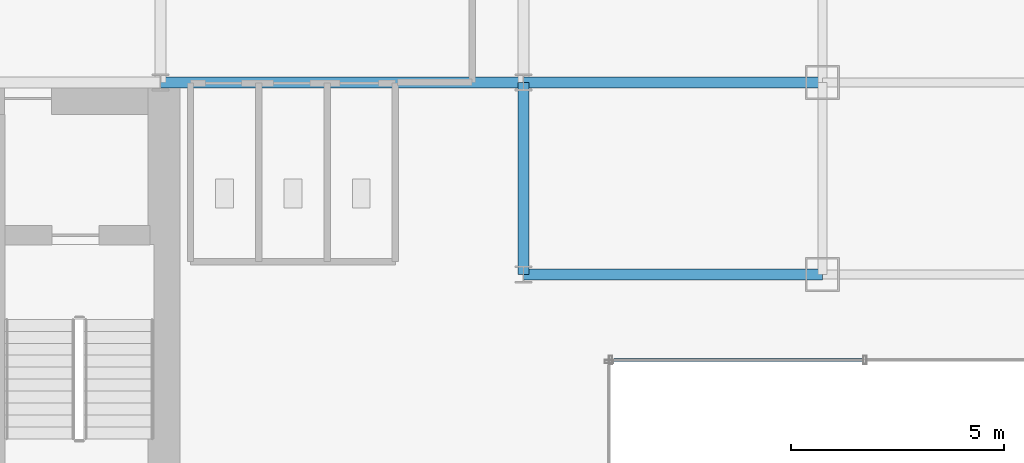
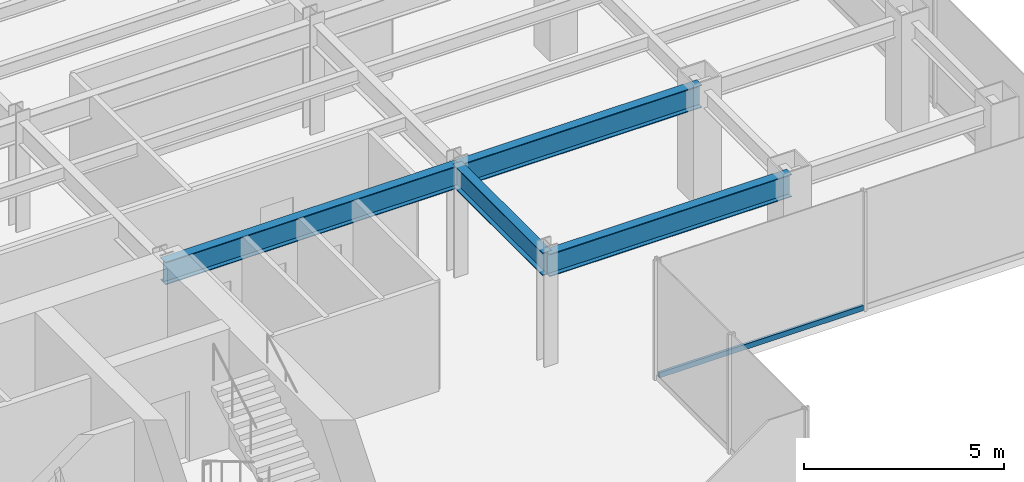
# One storey, part 9 of 26: 4 beams, 1 member, 1 element without a shape of its own.
"""IFC4 building model written with IfcOpenShell, lengths in metres."""

from ifc_helpers import new_model, si_unit, derived_unit, direction, frame, origin, origin_2d, place, context, subcontext, project, spatial, hollow_rectangle, i_section, extrude, source, transform, mapped, material, material_profile, profile_set, type_object, element, aggregate, save


model = new_model("IFC4")

# Units and contexts
model_context = context("Model", 3, precision=1e-05, world=origin(), true_north=direction((0.0, 1.0)))
body_context = subcontext(model_context, "Body", "Model", "MODEL_VIEW")
ifc_project = project(units=[si_unit("LENGTHUNIT", "METRE"), si_unit("AREAUNIT", "SQUARE_METRE"), si_unit("VOLUMEUNIT", "CUBIC_METRE"), si_unit("PLANEANGLEUNIT", "RADIAN"), si_unit("MASSUNIT", "GRAM", prefix="KILO"), derived_unit("THERMALTRANSMITTANCEUNIT", [(si_unit("POWERUNIT", "WATT"), 1), (si_unit("LENGTHUNIT", "METRE"), -2), (si_unit("THERMODYNAMICTEMPERATUREUNIT", "KELVIN"), -1)])], contexts=[model_context])

# Site, building, storey
site_placement = place(None, origin())
site = spatial("IfcSite", under=ifc_project, at=site_placement, CompositionType="ELEMENT")
building_placement = place(site_placement, origin())
building = spatial("IfcBuilding", under=site, at=building_placement, Name="Skarnbrae Concourse Arena and Tower", CompositionType="ELEMENT")
storey_placement = place(building_placement, frame((0.0, 0.0, 132.449951171875)))
storey = spatial("IfcBuildingStorey", under=building, at=storey_placement, Name="L33", CompositionType="ELEMENT", Elevation=132.449951171875)

# Beams
ifc_material_1 = material(Name="Steel CSA G40.21 350W", Category="steel")
ifc_material_profile_1 = material_profile(ifc_material_1, i_section(OverallWidth=0.256103515625, OverallDepth=0.693115234375, WebThickness=0.014404296875, FlangeThickness=0.023681640625, at=origin_2d()), Name="W690X170")
ifc_profile_set_1 = profile_set([ifc_material_profile_1], Name="Steel CSA G40.21 350W")
beam_type = type_object("IfcBeamType", Name="BM-GIRD-W690X170", PredefinedType="BEAM", material=ifc_profile_set_1)
shared_shape_1 = source(origin(), body_context, "Body", "SweptSolid", [
    extrude(i_section(OverallWidth=0.256103515625, OverallDepth=0.693115234375, WebThickness=0.014404296875, FlangeThickness=0.023681640625, at=origin_2d()), origin(), (0.0, 0.0, 1.0), 7.0),
])
for number, where, z_axis, x_axis, name in (
    (1, (42.0, 9.5, 3.003662109375), (1.0, 0.0, 0.0), (0.0, 1.0, 0.0), "L33 Primary E-W girder Y9.5-2"),
    (2, (42.0, 14.0, 3.003662109375), (1.0, 0.0, 0.0), (0.0, 1.0, 0.0), "L33 Primary E-W girder Y14.0-7"),
):
    element("IfcBeam", number, at=place(storey_placement, frame(where, z_axis=z_axis, x_axis=x_axis)), inside=storey, type_object=beam_type, Name=name, PredefinedType="BEAM", context=body_context, shape_type="MappedRepresentation", body=[
        mapped(shared_shape_1, transform((0.0, 0.0, 0.0))),
    ])
shared_shape_2 = source(origin(), body_context, "Body", "SweptSolid", [
    extrude(i_section(OverallWidth=0.256103515625, OverallDepth=0.693115234375, WebThickness=0.014404296875, FlangeThickness=0.023681640625, at=origin_2d()), origin(), (0.0, 0.0, 1.0), 8.5),
])
beam_1_placement = place(storey_placement, frame((33.5, 14.0, 3.003662109375), z_axis=(1.0, 0.0, 0.0), x_axis=(0.0, 1.0, 0.0)))
element("IfcBeam", 3, at=beam_1_placement, inside=storey, type_object=beam_type, Name="L33 Primary E-W girder Y14.0-6", PredefinedType="BEAM", context=body_context, shape_type="MappedRepresentation", body=[
    mapped(shared_shape_2, transform((0.0, 0.0, 0.0))),
])
shared_shape_3 = source(origin(), body_context, "Body", "SweptSolid", [
    extrude(i_section(OverallWidth=0.256103515625, OverallDepth=0.693115234375, WebThickness=0.014404296875, FlangeThickness=0.023681640625, at=origin_2d()), origin(), (0.0, 0.0, 1.0), 4.5),
])
beam_2_placement = place(storey_placement, frame((42.0, 9.5, 3.003662109375), z_axis=(0.0, 1.0, 0.0), x_axis=(-1.0, 0.0, 0.0)))
element("IfcBeam", 4, at=beam_2_placement, inside=storey, type_object=beam_type, Name="L33 Primary N-S girder X42.0-1", PredefinedType="BEAM", context=body_context, shape_type="MappedRepresentation", body=[
    mapped(shared_shape_3, transform((0.0, 0.0, 0.0))),
])

# Curtain wall, member
ifc_material_2 = material(Name="Bronze anodised aluminium 6063-T6", Category="aluminium")
curtain_wall_type = type_object("IfcCurtainWallType", Name="CW-SYS-04-MIDZONE", PredefinedType="USERDEFINED", material=ifc_material_2)
curtain_wall_placement = place(storey_placement, origin())
curtain_wall = element("IfcCurtainWall", 5, at=curtain_wall_placement, inside=storey, type_object=curtain_wall_type, Name="L33 Unitised curtain wall CW-L33-E03", ObjectType="UNITISED CURTAIN WALL", PredefinedType="USERDEFINED")
ifc_material_profile_2 = material_profile(ifc_material_2, hollow_rectangle(XDim=0.074951171875, YDim=0.159912109375, WallThickness=0.00439453125, at=origin_2d()), Name="ALU-TRAN-75X160")
ifc_profile_set_2 = profile_set([ifc_material_profile_2], Name="Bronze anodised aluminium 6063-T6")
member_type = type_object("IfcMemberType", Name="CWT-CW-04", PredefinedType="USERDEFINED", material=ifc_profile_set_2)
shared_shape_4 = source(origin(), body_context, "Body", "SweptSolid", [
    extrude(hollow_rectangle(XDim=0.074951171875, YDim=0.159912109375, WallThickness=0.00439453125, at=origin_2d()), origin(), (0.0, 0.0, 1.0), 5.887451171875),
])
member_placement = place(storey_placement, frame((44.074951171875, 7.5, 0.080078125), z_axis=(1.0, 0.0, 0.0), x_axis=(0.0, 1.0, 0.0)))
member = element("IfcMember", 6, at=member_placement, type_object=member_type, Name="CW-L33-E03 Transom 1", ObjectType="TRANSOM", PredefinedType="USERDEFINED", context=body_context, shape_type="MappedRepresentation", body=[
    mapped(shared_shape_4, transform((0.0, 0.0, 0.0))),
])
aggregate(curtain_wall, [member])

save(model, "model.ifc")
